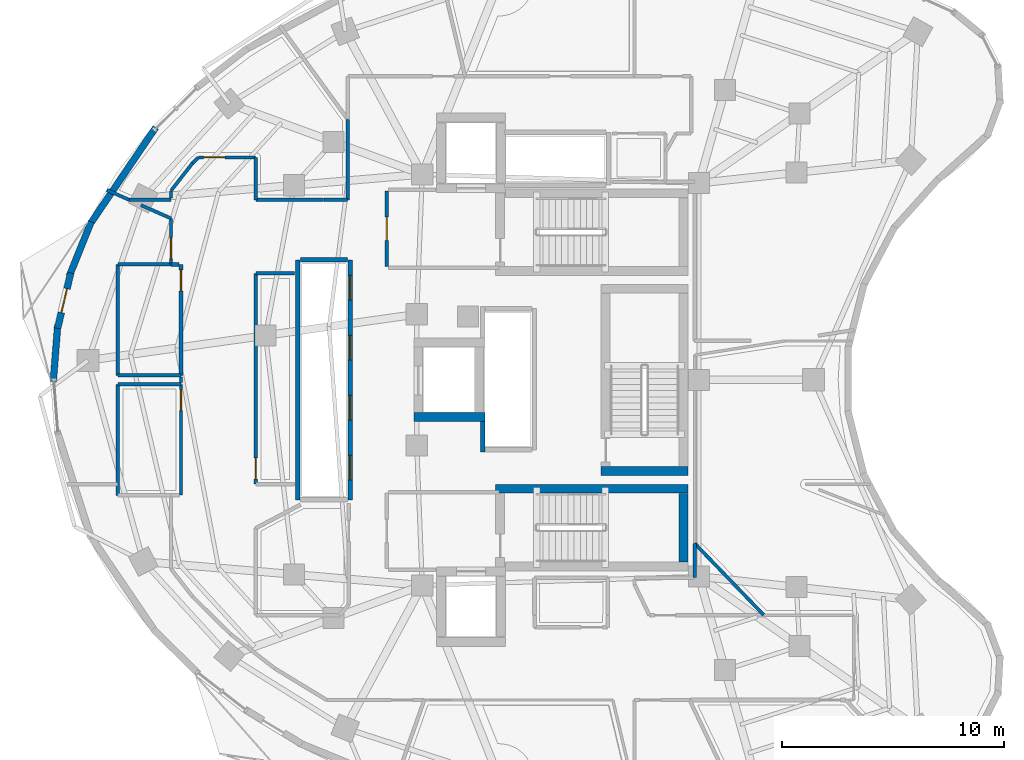
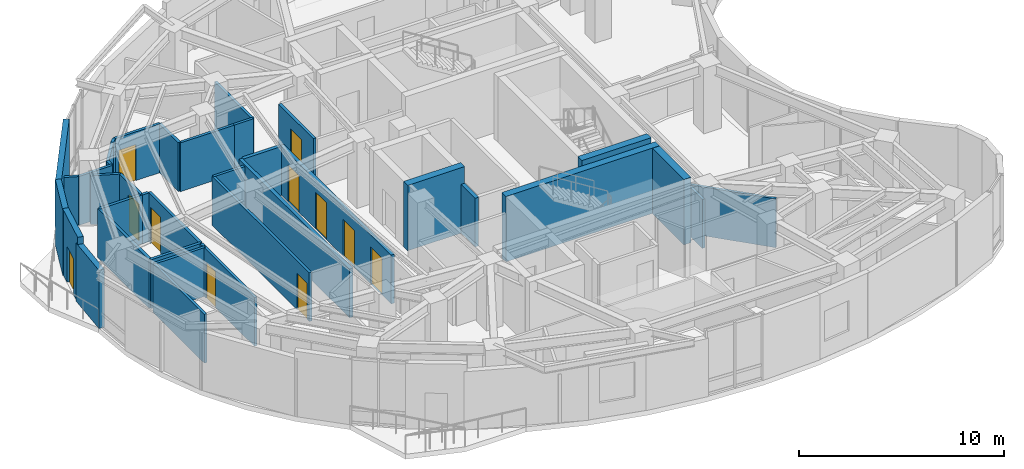
# One storey, part 8 of 13: 38 walls, 11 doors, 11 openings.
"""IFC4 building model written with IfcOpenShell, lengths in metres."""

import ifcopenshell
import ifcopenshell.guid

model = None  # the IFC model being written
_history = None  # IfcOwnerHistory: only IFC2X3 demands one
_inside = {}  # id of a spatial element -> (the spatial element, [elements in it])
_under = {}  # id of a project, library or spatial element -> (it, [spatial elements below it])
_declared = {}  # id of a project -> (the project, [libraries it declares])
_typed = {}  # id of a type object -> (the type object, [elements of that type])
_made_of = {}  # id of a material, layer set ... -> (it, [elements and type objects made of it])


def new_model(schema):
    """Start an empty IFC model of exactly this schema.

    Asked for "IFC4X3", IfcOpenShell would pick the latest addendum, in which some entities
    have other attributes; the version numbers below select the first issue.
    IFC2X3 requires an IfcOwnerHistory on every rooted entity: one is made here for all.
    """
    global model, _history
    if schema == "IFC4X3":
        model = ifcopenshell.file(schema_version=(4, 3, 0, 0))
    else:
        model = ifcopenshell.file(schema=schema)
    _inside.clear()
    _under.clear()
    _declared.clear()
    _typed.clear()
    _made_of.clear()
    _history = None
    if model.schema == "IFC2X3":
        org = make("IfcOrganization", Name="unknown")
        user = make(
            "IfcPersonAndOrganization",
            ThePerson=make("IfcPerson", FamilyName="unknown"),
            TheOrganization=org,
        )
        app = make(
            "IfcApplication",
            ApplicationDeveloper=org,
            Version="unknown",
            ApplicationFullName="unknown",
            ApplicationIdentifier="unknown",
        )
        _history = make(
            "IfcOwnerHistory",
            OwningUser=user,
            OwningApplication=app,
            ChangeAction="ADDED",
            CreationDate=0,
        )
    return model


def make(cls, **values):
    """One entity of the class cls with the attributes given. An attribute that is None is left unset."""
    return model.create_entity(
        cls, **{name: value for name, value in values.items() if value is not None}
    )


def rooted(cls, **values):
    """An entity with a GlobalId (a new one), such as an element, a storey or a relation."""
    return make(cls, GlobalId=ifcopenshell.guid.new(), OwnerHistory=_history, **values)


def si_unit(unit_type, name, prefix=None):
    """IfcSIUnit, for example si_unit("LENGTHUNIT", "METRE", prefix="MILLI")."""
    return make("IfcSIUnit", UnitType=unit_type, Prefix=prefix, Name=name)


def assignment(units):
    """IfcUnitAssignment: the units of a project."""
    return None if units is None else make("IfcUnitAssignment", Units=units)


def point(xyz):
    """IfcCartesianPoint."""
    return None if xyz is None else make("IfcCartesianPoint", Coordinates=xyz)


def direction(xyz):
    """IfcDirection."""
    return None if xyz is None else make("IfcDirection", DirectionRatios=xyz)


def frame(location, z_axis=None, x_axis=None):
    """IfcAxis2Placement3D, a coordinate frame: its origin and axes. An axis left out is left unset."""
    return make(
        "IfcAxis2Placement3D",
        Location=point(location),
        Axis=direction(z_axis),
        RefDirection=direction(x_axis),
    )


def frame_2d(location, x_axis=None):
    """IfcAxis2Placement2D, a coordinate frame in the plane: its origin and x axis."""
    return make(
        "IfcAxis2Placement2D", Location=point(location), RefDirection=direction(x_axis)
    )


def origin():
    """The frame at (0, 0, 0) with its axes left unset."""
    return frame((0.0, 0.0, 0.0))


def place(relative_to, where):
    """IfcLocalPlacement: puts the frame where relative to a parent placement (None: the world)."""
    return make(
        "IfcLocalPlacement", PlacementRelTo=relative_to, RelativePlacement=where
    )


def context(
    kind, dimensions, precision=None, world=None, true_north=None, identifier=None
):
    """IfcGeometricRepresentationContext, for example the 3D "Model" context."""
    return make(
        "IfcGeometricRepresentationContext",
        ContextIdentifier=identifier,
        ContextType=kind,
        CoordinateSpaceDimension=dimensions,
        Precision=precision,
        WorldCoordinateSystem=world,
        TrueNorth=true_north,
    )


def subcontext(parent, identifier, kind, view, scale=None):
    """IfcGeometricRepresentationSubContext, for example "Body" below "Model"."""
    return make(
        "IfcGeometricRepresentationSubContext",
        ContextIdentifier=identifier,
        ContextType=kind,
        ParentContext=parent,
        TargetScale=scale,
        TargetView=view,
    )


def project(units=None, contexts=None):
    """IfcProject with its units and contexts."""
    return rooted(
        "IfcProject",
        Name="project",
        RepresentationContexts=contexts,
        UnitsInContext=assignment(units),
    )


def spatial(cls, under=None, at=None, **own):
    """A site, building, storey or space (cls), placed at a placement, below another one or the project."""
    s = rooted(cls, ObjectPlacement=at, **own)
    if under is not None:
        _under.setdefault(under.id(), (under, []))[1].append(s)
    return s


def profile(cls, at=None, kind="AREA", **sizes):
    """A parametric profile (cls). Its sizes go by their IFC names, for example OverallWidth=200.0."""
    return make(cls, ProfileType=kind, Position=at, **sizes)


def rectangle(**sizes):
    """IfcRectangleProfileDef."""
    return profile("IfcRectangleProfileDef", **sizes)


def extrude(swept, where, along, depth):
    """IfcExtrudedAreaSolid: the profile swept, set in the frame where, extruded along a direction by depth."""
    return make(
        "IfcExtrudedAreaSolid",
        SweptArea=swept,
        Position=where,
        ExtrudedDirection=direction(along),
        Depth=depth,
    )


def shape(context_of_items, identifier, shape_type, items):
    """IfcShapeRepresentation: the items that make up one representation, for example the "Body"."""
    return make(
        "IfcShapeRepresentation",
        ContextOfItems=context_of_items,
        RepresentationIdentifier=identifier,
        RepresentationType=shape_type,
        Items=items,
    )


def material(Name=None, Category=None):
    """IfcMaterial."""
    return make("IfcMaterial", Name=Name, Category=Category)


def layer(
    of_material, thickness, ventilated=None, Name=None, Category=None, Priority=None
):
    """IfcMaterialLayer: one layer of a wall or slab, of a material (None: an air gap)."""
    return make(
        "IfcMaterialLayer",
        Material=of_material,
        LayerThickness=thickness,
        IsVentilated=ventilated,
        Name=Name,
        Category=Category,
        Priority=Priority,
    )


def layer_set(layers, Name=None):
    """IfcMaterialLayerSet."""
    return make("IfcMaterialLayerSet", MaterialLayers=layers, LayerSetName=Name)


def made_of(thing, what):
    """Note that an element or type object is made of a material, layer set ...; save() writes the relation."""
    if what is not None:
        _made_of.setdefault(what.id(), (what, []))[1].append(thing)
    return thing


def type_object(cls, material=None, **own):
    """A type object (cls), such as IfcWallType, which elements share."""
    return made_of(rooted(cls, **own), material)


def element(
    cls,
    number,
    at=None,
    inside=None,
    cuts=None,
    type_object=None,
    material=None,
    context=None,
    identifier="Body",
    shape_type=None,
    held_by="IfcProductDefinitionShape",
    body=None,
    shapes=None,
    **own,
):
    """One element of the class cls, such as IfcWall. Its Tag is "e" and its number.

    at: its placement. inside: the storey or other place that contains it. cuts: it is an
    opening in that element (IfcRelVoidsElement). A single representation is given by context,
    identifier, shape_type and body (its items); several are given by shapes. held_by: the class
    of the entity that holds the representations. save() writes the other relations.
    """
    e = rooted(cls, Tag="e%d" % number, ObjectPlacement=at, **own)
    if body is not None:
        shapes = [shape(context, identifier, shape_type, body)]
    if shapes is not None:
        e.Representation = make(held_by, Representations=shapes)
    if inside is not None:
        _inside.setdefault(inside.id(), (inside, []))[1].append(e)
    if cuts is not None:
        rooted(
            "IfcRelVoidsElement", RelatingBuildingElement=cuts, RelatedOpeningElement=e
        )
    if type_object is not None:
        _typed.setdefault(type_object.id(), (type_object, []))[1].append(e)
    return made_of(e, material)


def fill(opening, filler):
    """IfcRelFillsElement: the door or window that sits in an opening."""
    return rooted(
        "IfcRelFillsElement",
        RelatingOpeningElement=opening,
        RelatedBuildingElement=filler,
    )


def aggregate(whole, parts):
    """IfcRelAggregates: a whole, such as a stair, and the parts it consists of."""
    return rooted("IfcRelAggregates", RelatingObject=whole, RelatedObjects=parts)


def save(model, path):
    """Write the relations noted so far, then the file.

    IfcRelAggregates (storeys below a building ...), IfcRelContainedInSpatialStructure (elements
    in a storey), IfcRelDefinesByType, IfcRelAssociatesMaterial and IfcRelDeclares: one each for
    every whole, place, type object, material and project.
    """
    for whole, parts in _under.values():
        aggregate(whole, parts)
    for where, things in _inside.values():
        rooted(
            "IfcRelContainedInSpatialStructure",
            RelatedElements=things,
            RelatingStructure=where,
        )
    for kind, things in _typed.values():
        rooted("IfcRelDefinesByType", RelatedObjects=things, RelatingType=kind)
    for what, things in _made_of.values():
        rooted("IfcRelAssociatesMaterial", RelatedObjects=things, RelatingMaterial=what)
    for by, libraries in _declared.values():
        rooted("IfcRelDeclares", RelatingContext=by, RelatedDefinitions=libraries)
    model.write(path)


model = new_model("IFC4")

# Units and contexts
model_context = context("Model", 3, precision=1e-05, world=origin(), true_north=direction((0.0, 1.0)))
body_context = subcontext(model_context, "Body", "Model", "MODEL_VIEW")
ifc_project = project(units=[si_unit("LENGTHUNIT", "METRE"), si_unit("AREAUNIT", "SQUARE_METRE"), si_unit("VOLUMEUNIT", "CUBIC_METRE"), si_unit("PLANEANGLEUNIT", "RADIAN"), si_unit("MASSUNIT", "GRAM", prefix="KILO")], contexts=[model_context])

# Site, building, storey
site_placement = place(None, origin())
site = spatial("IfcSite", under=ifc_project, at=site_placement, CompositionType="ELEMENT")
building_placement = place(site_placement, origin())
building = spatial("IfcBuilding", under=site, at=building_placement, Name="Korentha Bioscience Tower", CompositionType="ELEMENT")
storey_placement = place(building_placement, frame((0.0, 0.0, 204.60009765625)))
storey = spatial("IfcBuildingStorey", under=building, at=storey_placement, Name="L47", CompositionType="ELEMENT", Elevation=204.60009765625)

# Wall, opening, door
ifc_material_1 = material(Name="Double-Stud Acoustic Gypsum", Category="gypsum")
ifc_layer_1 = layer(ifc_material_1, 0.14990234375, Name="Double-Stud Acoustic Gypsum")
ifc_layer_set_1 = layer_set([ifc_layer_1], Name="Double-Stud Acoustic Gypsum (IW-L150)")
wall_type_1 = type_object("IfcWallType", Name="Acoustic Laboratory Partition Wall 150", PredefinedType="PARTITIONING", material=ifc_layer_set_1)
wall_1_placement = place(storey_placement, frame((14.239990234375, 26.800048828125, 0.0), z_axis=(0.0, 0.0, 1.0), x_axis=(0.0, -1.0, 0.0)))
wall_1 = element("IfcWall", 1, at=wall_1_placement, inside=storey, type_object=wall_type_1, Name="L47 Reclaimed Bank-1 Cold Freezer Alcove Entrance Wall", PredefinedType="PARTITIONING", context=body_context, shape_type="SweptSolid", body=[
    extrude(rectangle(XDim=4.989990234375, YDim=0.14990234375, at=frame_2d((2.4951171875, 0.0))), origin(), (0.0, 0.0, 1.0), 2.909912109375),
])
opening_1_placement = place(wall_1_placement, frame((0.239990234375, 0.0, 0.0)))
opening_1 = element("IfcOpeningElement", 2, at=opening_1_placement, cuts=wall_1, Name="Opening ID-10R", PredefinedType="OPENING", context=body_context, shape_type="SweptSolid", body=[
    extrude(rectangle(XDim=0.949951171875, YDim=2.14990234375, at=frame_2d((0.47509765625, 1.074951171875))), frame((0.0, 0.08984375, 0.0), z_axis=(0.0, -1.0, 0.0), x_axis=(1.0, 0.0, 0.0)), (0.0, 0.0, 1.0), 0.1796875),
])
ifc_material_2 = material(Name="Phenolic Laminate Timber Core", Category="wood")
door_type_1 = type_object("IfcDoorType", Name="Laboratory Single Leaf Door 950x2150 Right", OperationType="SINGLE_SWING_RIGHT", PredefinedType="DOOR", material=ifc_material_2)
door_1_placement = place(opening_1_placement, origin())
door_1 = element("IfcDoor", 3, at=door_1_placement, inside=storey, type_object=door_type_1, Name="L47 Reclaimed Bank-1 Cold Freezer Alcove Door", OperationType="SINGLE_SWING_RIGHT", OverallHeight=2.14990234375, OverallWidth=0.949951171875, PredefinedType="DOOR", context=body_context, shape_type="SweptSolid", body=[
    extrude(rectangle(XDim=0.949951171875, YDim=2.14990234375, at=frame_2d((0.47509765625, 1.074951171875))), frame((0.0, 0.02490234375, 0.0), z_axis=(0.0, -1.0, 0.0), x_axis=(1.0, 0.0, 0.0)), (0.0, 0.0, 1.0), 0.050048828125),
])
fill(opening_1, door_1)

wall_2_placement = place(storey_placement, frame((17.60009765625, 37.010009765625, 0.0), z_axis=(0.0, 0.0, 1.0), x_axis=(-1.0, 0.0, 0.0)))
wall_2 = element("IfcWall", 4, at=wall_2_placement, inside=storey, type_object=wall_type_1, Name="L47 Automated High-Throughput Assay Lab 11 Entrance Wall", PredefinedType="PARTITIONING", context=body_context, shape_type="SweptSolid", body=[
    extrude(rectangle(XDim=2.576416015625, YDim=0.14990234375, at=frame_2d((1.2880859375, 0.0))), origin(), (0.0, 0.0, 1.0), 2.909912109375),
])
opening_2_placement = place(wall_2_placement, frame((1.38623046875, 0.0, 0.0)))
opening_2 = element("IfcOpeningElement", 5, at=opening_2_placement, cuts=wall_2, Name="Opening ID-10R", PredefinedType="OPENING", context=body_context, shape_type="SweptSolid", body=[
    extrude(rectangle(XDim=0.949951171875, YDim=2.14990234375, at=frame_2d((0.47509765625, 1.074951171875))), frame((0.0, 0.08984375, 0.0), z_axis=(0.0, -1.0, 0.0), x_axis=(1.0, 0.0, 0.0)), (0.0, 0.0, 1.0), 0.1796875),
])
door_2_placement = place(opening_2_placement, origin())
door_2 = element("IfcDoor", 6, at=door_2_placement, inside=storey, type_object=door_type_1, Name="L47 Automated High-Throughput Assay Lab 11 Door", OperationType="SINGLE_SWING_RIGHT", OverallHeight=2.14990234375, OverallWidth=0.949951171875, PredefinedType="DOOR", context=body_context, shape_type="SweptSolid", body=[
    extrude(rectangle(XDim=0.949951171875, YDim=2.14990234375, at=frame_2d((0.47509765625, 1.074951171875))), frame((0.0, 0.02490234375, 0.0), z_axis=(0.0, -1.0, 0.0), x_axis=(1.0, 0.0, 0.0)), (0.0, 0.0, 1.0), 0.050048828125),
])
fill(opening_2, door_2)

wall_3_placement = place(storey_placement, frame((13.7900390625, 34.265625, 0.0), z_axis=(0.0, 0.0, 1.0), x_axis=(0.0, -1.0, 0.0)))
wall_3 = element("IfcWall", 7, at=wall_3_placement, inside=storey, type_object=wall_type_1, Name="L47 Mass-Spectrometry Analytical Suite 12 Entrance Wall", PredefinedType="PARTITIONING", context=body_context, shape_type="SweptSolid", body=[
    extrude(rectangle(XDim=2.0556640625, YDim=0.14990234375, at=frame_2d((1.02783203125, 0.0))), origin(), (0.0, 0.0, 1.0), 2.909912109375),
])
opening_3_placement = place(wall_3_placement, frame((0.865478515625, 0.0, 0.0)))
opening_3 = element("IfcOpeningElement", 8, at=opening_3_placement, cuts=wall_3, Name="Opening ID-10L", PredefinedType="OPENING", context=body_context, shape_type="SweptSolid", body=[
    extrude(rectangle(XDim=0.949951171875, YDim=2.14990234375, at=frame_2d((0.47509765625, 1.074951171875))), frame((0.0, 0.08984375, 0.0), z_axis=(0.0, -1.0, 0.0), x_axis=(1.0, 0.0, 0.0)), (0.0, 0.0, 1.0), 0.1796875),
])
door_type_2 = type_object("IfcDoorType", Name="Laboratory Single Leaf Door 950x2150 Left", OperationType="SINGLE_SWING_LEFT", PredefinedType="DOOR", material=ifc_material_2)
door_3_placement = place(opening_3_placement, origin())
door_3 = element("IfcDoor", 9, at=door_3_placement, inside=storey, type_object=door_type_2, Name="L47 Mass-Spectrometry Analytical Suite 12 Door", OperationType="SINGLE_SWING_LEFT", OverallHeight=2.14990234375, OverallWidth=0.949951171875, PredefinedType="DOOR", context=body_context, shape_type="SweptSolid", body=[
    extrude(rectangle(XDim=0.949951171875, YDim=2.14990234375, at=frame_2d((0.47509765625, 1.074951171875))), frame((0.0, 0.02490234375, 0.0), z_axis=(0.0, -1.0, 0.0), x_axis=(1.0, 0.0, 0.0)), (0.0, 0.0, 1.0), 0.050048828125),
])
fill(opening_3, door_3)

wall_4_placement = place(storey_placement, frame((17.610107421875, 22.302001953125, 0.0), z_axis=(0.0, 0.0, 1.0), x_axis=(0.0, 1.0, 0.0)))
wall_4 = element("IfcWall", 10, at=wall_4_placement, inside=storey, type_object=wall_type_1, Name="L47 HPLC Chromatography Room 13 Entrance Wall", PredefinedType="PARTITIONING", context=body_context, shape_type="SweptSolid", body=[
    extrude(rectangle(XDim=9.488037109375, YDim=0.14990234375, at=frame_2d((4.744140625, 0.0))), origin(), (0.0, 0.0, 1.0), 2.909912109375),
])
opening_4_placement = place(wall_4_placement, frame((0.239990234375, 0.0, 0.0)))
opening_4 = element("IfcOpeningElement", 11, at=opening_4_placement, cuts=wall_4, Name="Opening ID-10R", PredefinedType="OPENING", context=body_context, shape_type="SweptSolid", body=[
    extrude(rectangle(XDim=0.949951171875, YDim=2.14990234375, at=frame_2d((0.47509765625, 1.074951171875))), frame((0.0, 0.08984375, 0.0), z_axis=(0.0, -1.0, 0.0), x_axis=(1.0, 0.0, 0.0)), (0.0, 0.0, 1.0), 0.1796875),
])
door_4_placement = place(opening_4_placement, origin())
door_4 = element("IfcDoor", 12, at=door_4_placement, inside=storey, type_object=door_type_1, Name="L47 HPLC Chromatography Room 13 Door", OperationType="SINGLE_SWING_RIGHT", OverallHeight=2.14990234375, OverallWidth=0.949951171875, PredefinedType="DOOR", context=body_context, shape_type="SweptSolid", body=[
    extrude(rectangle(XDim=0.949951171875, YDim=2.14990234375, at=frame_2d((0.47509765625, 1.074951171875))), frame((0.0, 0.02490234375, 0.0), z_axis=(0.0, -1.0, 0.0), x_axis=(1.0, 0.0, 0.0)), (0.0, 0.0, 1.0), 0.050048828125),
])
fill(opening_4, door_4)

# Walls
wall_5_placement = place(storey_placement, frame((11.39990234375, 21.800048828125, 0.0), z_axis=(0.0, 0.0, 1.0), x_axis=(0.0, 1.0, 0.0)))
element("IfcWall", 13, at=wall_5_placement, inside=storey, type_object=wall_type_1, Name="L47 Interior Partition 027", PredefinedType="PARTITIONING", context=body_context, shape_type="SweptSolid", body=[
    extrude(rectangle(XDim=5.0, YDim=0.14990234375, at=frame_2d((2.5, 0.0))), origin(), (0.0, 0.0, 1.0), 2.909912109375),
])
wall_6_placement = place(storey_placement, frame((11.39990234375, 26.800048828125, 0.0), z_axis=(0.0, 0.0, 1.0), x_axis=(1.0, 0.0, 0.0)))
element("IfcWall", 14, at=wall_6_placement, inside=storey, type_object=wall_type_1, Name="L47 Interior Partition 028", PredefinedType="PARTITIONING", context=body_context, shape_type="SweptSolid", body=[
    extrude(rectangle(XDim=2.840087890625, YDim=0.14990234375, at=frame_2d((1.419921875, 0.0))), origin(), (0.0, 0.0, 1.0), 2.909912109375),
])
wall_7_placement = place(storey_placement, frame((37.360107421875, 18.10009765625, 0.0), z_axis=(0.0, 0.0, 1.0), x_axis=(0.0, 1.0, 0.0)))
element("IfcWall", 15, at=wall_7_placement, inside=storey, type_object=wall_type_1, Name="L47 Interior Partition 052", PredefinedType="PARTITIONING", context=body_context, shape_type="SweptSolid", body=[
    extrude(rectangle(XDim=1.536865234375, YDim=0.14990234375, at=frame_2d((0.7685546875, 0.0))), origin(), (0.0, 0.0, 1.0), 2.909912109375),
])
wall_8_placement = place(storey_placement, frame((37.360107421875, 19.636962890625, 0.0), z_axis=(0.0, 0.0, 1.0), x_axis=(0.694165803971, -0.719815140573, 0.0)))
element("IfcWall", 16, at=wall_8_placement, inside=storey, type_object=wall_type_1, Name="L47 Interior Partition 053", PredefinedType="PARTITIONING", context=body_context, shape_type="SweptSolid", body=[
    extrude(rectangle(XDim=4.483154296875, YDim=0.14990234375, at=frame_2d((2.24169921875, 0.0))), origin(), (0.0, 0.0, 1.0), 2.909912109375),
])
wall_9_placement = place(storey_placement, frame((21.739990234375, 38.721923828125, 0.0), z_axis=(0.0, 0.0, 1.0), x_axis=(0.0, -1.0, 0.0)))
element("IfcWall", 17, at=wall_9_placement, inside=storey, type_object=wall_type_1, Name="L47 Interior Partition 073", PredefinedType="PARTITIONING", context=body_context, shape_type="SweptSolid", body=[
    extrude(rectangle(XDim=3.619873046875, YDim=0.14990234375, at=frame_2d((1.81005859375, 0.0))), origin(), (0.0, 0.0, 1.0), 2.909912109375),
])
wall_10_placement = place(storey_placement, frame((21.739990234375, 35.10205078125, 0.0), z_axis=(0.0, 0.0, 1.0), x_axis=(-1.0, 0.0, 0.0)))
element("IfcWall", 18, at=wall_10_placement, inside=storey, type_object=wall_type_1, Name="L47 Interior Partition 074", PredefinedType="PARTITIONING", context=body_context, shape_type="SweptSolid", body=[
    extrude(rectangle(XDim=1.072021484375, YDim=0.14990234375, at=frame_2d((0.5361328125, 0.0))), origin(), (0.0, 0.0, 1.0), 2.909912109375),
])
wall_11_placement = place(storey_placement, frame((20.661376953125, 35.10205078125, 0.0), z_axis=(0.0, 0.0, 1.0), x_axis=(-1.0, 0.0, 0.0)))
element("IfcWall", 19, at=wall_11_placement, inside=storey, type_object=wall_type_1, Name="L47 Interior Partition 075", PredefinedType="PARTITIONING", context=body_context, shape_type="SweptSolid", body=[
    extrude(rectangle(XDim=3.05126953125, YDim=0.14990234375, at=frame_2d((1.525634765625, 0.0))), origin(), (0.0, 0.0, 1.0), 2.909912109375),
])
wall_12_placement = place(storey_placement, frame((17.610107421875, 35.10205078125, 0.0), z_axis=(0.0, 0.0, 1.0), x_axis=(0.0, 1.0, 0.0)))
element("IfcWall", 20, at=wall_12_placement, inside=storey, type_object=wall_type_1, Name="L47 Interior Partition 076", PredefinedType="PARTITIONING", context=body_context, shape_type="SweptSolid", body=[
    extrude(rectangle(XDim=1.89794921875, YDim=0.14990234375, at=frame_2d((0.948974609375, 0.0))), origin(), (0.0, 0.0, 1.0), 2.909912109375),
])
wall_13_placement = place(storey_placement, frame((15.0166015625, 37.007080078125, 0.0), z_axis=(0.0, 0.0, 1.0), x_axis=(-0.711174408111, -0.70301561949, 0.0)))
element("IfcWall", 21, at=wall_13_placement, inside=storey, type_object=wall_type_1, Name="L47 Interior Partition 077", PredefinedType="PARTITIONING", context=body_context, shape_type="SweptSolid", body=[
    extrude(rectangle(XDim=0.359130859375, YDim=0.14990234375, at=frame_2d((0.1796875, 0.0))), origin(), (0.0, 0.0, 1.0), 2.909912109375),
])
wall_14_placement = place(storey_placement, frame((14.760498046875, 36.753662109375, 0.0), z_axis=(0.0, 0.0, 1.0), x_axis=(-0.615625972761, -0.788038489962, 0.0)))
element("IfcWall", 22, at=wall_14_placement, inside=storey, type_object=wall_type_1, Name="L47 Interior Partition 078", PredefinedType="PARTITIONING", context=body_context, shape_type="SweptSolid", body=[
    extrude(rectangle(XDim=1.5732421875, YDim=0.14990234375, at=frame_2d((0.78662109375, 0.0))), origin(), (0.0, 0.0, 1.0), 2.909912109375),
])
wall_15_placement = place(storey_placement, frame((13.7900390625, 35.5078125, 0.0), z_axis=(0.0, 0.0, 1.0), x_axis=(0.0, -1.0, 0.0)))
element("IfcWall", 23, at=wall_15_placement, inside=storey, type_object=wall_type_1, Name="L47 Interior Partition 079", PredefinedType="PARTITIONING", context=body_context, shape_type="SweptSolid", body=[
    extrude(rectangle(XDim=0.327880859375, YDim=0.14990234375, at=frame_2d((0.1640625, 0.0))), origin(), (0.0, 0.0, 1.0), 2.909912109375),
])
wall_16_placement = place(storey_placement, frame((13.7900390625, 35.10205078125, 0.0), z_axis=(0.0, 0.0, 1.0), x_axis=(-1.0, 0.0, 0.0)))
element("IfcWall", 24, at=wall_16_placement, inside=storey, type_object=wall_type_1, Name="L47 Interior Partition 080", PredefinedType="PARTITIONING", context=body_context, shape_type="SweptSolid", body=[
    extrude(rectangle(XDim=1.885498046875, YDim=0.14990234375, at=frame_2d((0.94287109375, 0.0))), origin(), (0.0, 0.0, 1.0), 2.909912109375),
])
wall_17_placement = place(storey_placement, frame((11.904296875, 35.10205078125, 0.0), z_axis=(0.0, 0.0, 1.0), x_axis=(-0.914934829938, 0.403601606744, 0.0)))
element("IfcWall", 25, at=wall_17_placement, inside=storey, type_object=wall_type_1, Name="L47 Interior Partition 081", PredefinedType="PARTITIONING", context=body_context, shape_type="SweptSolid", body=[
    extrude(rectangle(XDim=1.090087890625, YDim=0.14990234375, at=frame_2d((0.544921875, 0.0))), origin(), (0.0, 0.0, 1.0), 2.909912109375),
])
wall_18_placement = place(storey_placement, frame((12.4384765625, 34.862060546875, 0.0), z_axis=(0.0, 0.0, 1.0), x_axis=(0.91487830716, -0.403729715389, 0.0)))
element("IfcWall", 26, at=wall_18_placement, inside=storey, type_object=wall_type_1, Name="L47 Interior Partition 083", PredefinedType="PARTITIONING", context=body_context, shape_type="SweptSolid", body=[
    extrude(rectangle(XDim=1.477294921875, YDim=0.14990234375, at=frame_2d((0.73876953125, 0.0))), origin(), (0.0, 0.0, 1.0), 2.909912109375),
])
wall_19_placement = place(storey_placement, frame((14.239990234375, 27.116943359375, 0.0), z_axis=(0.0, 0.0, 1.0), x_axis=(0.0, -1.0, 0.0)))
element("IfcWall", 27, at=wall_19_placement, inside=storey, type_object=wall_type_1, Name="L47 Interior Partition 084", PredefinedType="PARTITIONING", context=body_context, shape_type="SweptSolid", body=[
    extrude(rectangle(XDim=0.239013671875, YDim=0.14990234375, at=frame_2d((0.11962890625, 0.0))), origin(), (0.0, 0.0, 1.0), 2.909912109375),
])
wall_20_placement = place(storey_placement, frame((17.610107421875, 31.7900390625, 0.0), z_axis=(0.0, 0.0, 1.0), x_axis=(1.0, 0.0, 0.0)))
element("IfcWall", 28, at=wall_20_placement, inside=storey, type_object=wall_type_1, Name="L47 Interior Partition 086", PredefinedType="PARTITIONING", context=body_context, shape_type="SweptSolid", body=[
    extrude(rectangle(XDim=1.72998046875, YDim=0.14990234375, at=frame_2d((0.864990234375, 0.0))), origin(), (0.0, 0.0, 1.0), 2.909912109375),
])

# Wall, opening, door
ifc_material_3 = material(Name="Gypsum-Clad Steel Stud", Category="steel")
ifc_layer_2 = layer(ifc_material_3, 0.159912109375, Name="Gypsum-Clad Steel Stud")
ifc_layer_set_2 = layer_set([ifc_layer_2], Name="Gypsum-Clad Steel Stud (IW-C160)")
wall_type_2 = type_object("IfcWallType", Name="Fire-Rated Corridor Partition Wall 160", PredefinedType="PARTITIONING", material=ifc_layer_set_2)
wall_21_placement = place(storey_placement, frame((23.5, 32.10009765625, 0.0), z_axis=(0.0, 0.0, 1.0), x_axis=(0.0, 1.0, 0.0)))
wall_21 = element("IfcWall", 29, at=wall_21_placement, inside=storey, type_object=wall_type_2, Name="L47 FFLN-CW Rated Enclosure Wall", PredefinedType="PARTITIONING", context=body_context, shape_type="SweptSolid", body=[
    extrude(rectangle(XDim=3.39990234375, YDim=0.159912109375, at=frame_2d((1.699951171875, 0.0))), origin(), (0.0, 0.0, 1.0), 2.909912109375),
])
opening_5_placement = place(wall_21_placement, frame((1.175048828125, 0.0, 0.0)))
opening_5 = element("IfcOpeningElement", 30, at=opening_5_placement, cuts=wall_21, Name="Opening FD-90R", PredefinedType="OPENING", context=body_context, shape_type="SweptSolid", body=[
    extrude(rectangle(XDim=1.050048828125, YDim=2.14990234375, at=frame_2d((0.52490234375, 1.074951171875))), frame((0.0, 0.0947265625, 0.0), z_axis=(0.0, -1.0, 0.0), x_axis=(1.0, 0.0, 0.0)), (0.0, 0.0, 1.0), 0.189697265625),
])
ifc_material_4 = material(Name="Powder-Coated Fire-Rated Steel", Category="steel")
door_type_3 = type_object("IfcDoorType", Name="Stairwell Fire Exit Door 1050x2150 Right", OperationType="SINGLE_SWING_RIGHT", PredefinedType="DOOR", material=ifc_material_4)
door_5_placement = place(opening_5_placement, origin())
door_5 = element("IfcDoor", 31, at=door_5_placement, inside=storey, type_object=door_type_3, Name="L47 North Firefighting Lobby Door", OperationType="SINGLE_SWING_RIGHT", OverallHeight=2.14990234375, OverallWidth=1.050048828125, PredefinedType="DOOR", context=body_context, shape_type="SweptSolid", body=[
    extrude(rectangle(XDim=1.050048828125, YDim=2.14990234375, at=frame_2d((0.52490234375, 1.074951171875))), frame((0.0, 0.02490234375, 0.0), z_axis=(0.0, -1.0, 0.0), x_axis=(1.0, 0.0, 0.0)), (0.0, 0.0, 1.0), 0.050048828125),
])
fill(opening_5, door_5)

wall_22_placement = place(storey_placement, frame((14.239990234375, 32.18994140625, 0.0), z_axis=(0.0, 0.0, 1.0), x_axis=(0.0, -1.0, 0.0)))
wall_22 = element("IfcWall", 32, at=wall_22_placement, inside=storey, type_object=wall_type_2, Name="L47 Reclaimed Bank-1 Glassware Store Entrance Wall", PredefinedType="PARTITIONING", context=body_context, shape_type="SweptSolid", body=[
    extrude(rectangle(XDim=4.989990234375, YDim=0.159912109375, at=frame_2d((2.4951171875, 0.0))), origin(), (0.0, 0.0, 1.0), 2.909912109375),
])
opening_6_placement = place(wall_22_placement, frame((0.239990234375, 0.0, 0.0)))
opening_6 = element("IfcOpeningElement", 33, at=opening_6_placement, cuts=wall_22, Name="Opening ID-10L", PredefinedType="OPENING", context=body_context, shape_type="SweptSolid", body=[
    extrude(rectangle(XDim=0.949951171875, YDim=2.14990234375, at=frame_2d((0.47509765625, 1.074951171875))), frame((0.0, 0.0947265625, 0.0), z_axis=(0.0, -1.0, 0.0), x_axis=(1.0, 0.0, 0.0)), (0.0, 0.0, 1.0), 0.189697265625),
])
door_6_placement = place(opening_6_placement, origin())
door_6 = element("IfcDoor", 34, at=door_6_placement, inside=storey, type_object=door_type_2, Name="L47 Reclaimed Bank-1 Glassware Store Door", OperationType="SINGLE_SWING_LEFT", OverallHeight=2.14990234375, OverallWidth=0.949951171875, PredefinedType="DOOR", context=body_context, shape_type="SweptSolid", body=[
    extrude(rectangle(XDim=0.949951171875, YDim=2.14990234375, at=frame_2d((0.47509765625, 1.074951171875))), frame((0.0, 0.02490234375, 0.0), z_axis=(0.0, -1.0, 0.0), x_axis=(1.0, 0.0, 0.0)), (0.0, 0.0, 1.0), 0.050048828125),
])
fill(opening_6, door_6)

# Walls
wall_23_placement = place(storey_placement, frame((13.800048828125, 32.18994140625, 0.0), z_axis=(0.0, 0.0, 1.0), x_axis=(1.0, 0.0, 0.0)))
element("IfcWall", 35, at=wall_23_placement, inside=storey, type_object=wall_type_2, Name="L47 Interior Partition 029", PredefinedType="PARTITIONING", context=body_context, shape_type="SweptSolid", body=[
    extrude(rectangle(XDim=0.35693359375, YDim=0.159912109375, at=frame_2d((0.178466796875, 0.0))), origin(), (0.0, 0.0, 1.0), 2.909912109375),
])
wall_24_placement = place(storey_placement, frame((14.239990234375, 27.199951171875, 0.0), z_axis=(0.0, 0.0, 1.0), x_axis=(-1.0, 0.0, 0.0)))
element("IfcWall", 36, at=wall_24_placement, inside=storey, type_object=wall_type_2, Name="L47 Interior Partition 030", PredefinedType="PARTITIONING", context=body_context, shape_type="SweptSolid", body=[
    extrude(rectangle(XDim=2.840087890625, YDim=0.159912109375, at=frame_2d((1.419921875, 0.0))), origin(), (0.0, 0.0, 1.0), 2.909912109375),
])
wall_25_placement = place(storey_placement, frame((11.39990234375, 27.199951171875, 0.0), z_axis=(0.0, 0.0, 1.0), x_axis=(0.0, 1.0, 0.0)))
element("IfcWall", 37, at=wall_25_placement, inside=storey, type_object=wall_type_2, Name="L47 Interior Partition 031", PredefinedType="PARTITIONING", context=body_context, shape_type="SweptSolid", body=[
    extrude(rectangle(XDim=5.0, YDim=0.159912109375, at=frame_2d((2.5, 0.0))), origin(), (0.0, 0.0, 1.0), 2.909912109375),
])
wall_26_placement = place(storey_placement, frame((11.39990234375, 32.199951171875, 0.0), z_axis=(0.0, 0.0, 1.0), x_axis=(1.0, 0.0, 0.0)))
element("IfcWall", 38, at=wall_26_placement, inside=storey, type_object=wall_type_2, Name="L47 Interior Partition 032", PredefinedType="PARTITIONING", context=body_context, shape_type="SweptSolid", body=[
    extrude(rectangle(XDim=2.39013671875, YDim=0.159912109375, at=frame_2d((1.195068359375, 0.0))), origin(), (0.0, 0.0, 1.0), 2.909912109375),
])

# Wall, opening, door
ifc_material_5 = material(Name="Honed Limestone Precast Concrete C40", Category="masonry")
ifc_layer_3 = layer(ifc_material_5, 0.300048828125, Name="Honed Limestone Precast Concrete C40")
ifc_layer_set_3 = layer_set([ifc_layer_3], Name="Honed Limestone Precast Concrete C40 (EW-ST300)")
wall_type_3 = type_object("IfcWallType", Name="Honed Limestone Cavity Spandrel Wall 300", PredefinedType="STANDARD", material=ifc_layer_set_3)
wall_27_placement = place(storey_placement, frame((9.280517578125, 31.810302734375, 0.0), z_axis=(0.0, 0.0, 1.0), x_axis=(-0.230615918203, -0.973044859332, 0.0)))
wall_27 = element("IfcWall", 39, at=wall_27_placement, inside=storey, type_object=wall_type_3, Name="L47 Balcony Threshold Wall 02", PredefinedType="STANDARD", context=body_context, shape_type="SweptSolid", body=[
    extrude(rectangle(XDim=2.56298828125, YDim=0.300048828125, at=frame_2d((1.281494140625, 0.0))), origin(), (0.0, 0.0, 1.0), 3.89990234375),
])
opening_7_placement = place(wall_27_placement, frame((0.7314453125, 0.0, 0.0)))
opening_7 = element("IfcOpeningElement", 40, at=opening_7_placement, cuts=wall_27, Name="Opening BD-11R", PredefinedType="OPENING", context=body_context, shape_type="SweptSolid", body=[
    extrude(rectangle(XDim=1.10009765625, YDim=2.14990234375, at=frame_2d((0.550048828125, 1.074951171875))), frame((0.0, 0.1650390625, 0.0), z_axis=(0.0, -1.0, 0.0), x_axis=(1.0, 0.0, 0.0)), (0.0, 0.0, 1.0), 0.329833984375),
])
ifc_material_6 = material(Name="Thermally Broken Glazed Aluminium", Category="aluminium")
door_type_4 = type_object("IfcDoorType", Name="Balcony Terrace Glazed Door 1100x2150 Right", OperationType="SINGLE_SWING_RIGHT", PredefinedType="DOOR", material=ifc_material_6)
door_7_placement = place(opening_7_placement, origin())
door_7 = element("IfcDoor", 41, at=door_7_placement, inside=storey, type_object=door_type_4, Name="L47 Balcony Access Door 02", OperationType="SINGLE_SWING_RIGHT", OverallHeight=2.14990234375, OverallWidth=1.10009765625, PredefinedType="DOOR", context=body_context, shape_type="SweptSolid", body=[
    extrude(rectangle(XDim=1.10009765625, YDim=2.14990234375, at=frame_2d((0.550048828125, 1.074951171875))), frame((0.0, 0.02490234375, 0.0), z_axis=(0.0, -1.0, 0.0), x_axis=(1.0, 0.0, 0.0)), (0.0, 0.0, 1.0), 0.050048828125),
])
fill(opening_7, door_7)

# Walls
wall_28_placement = place(storey_placement, frame((13.1025390625, 38.3603515625, 0.0), z_axis=(0.0, 0.0, 1.0), x_axis=(-0.561387104339, -0.827553333074, 0.0)))
element("IfcWall", 42, at=wall_28_placement, inside=storey, type_object=wall_type_3, Name="L47 Limestone Perimeter Closure Wall 14", PredefinedType="STANDARD", context=body_context, shape_type="SweptSolid", body=[
    extrude(rectangle(XDim=5.327392578125, YDim=0.300048828125, at=frame_2d((2.66357421875, 0.0))), origin(), (0.0, 0.0, 1.0), 3.89990234375),
])
wall_29_placement = place(storey_placement, frame((10.20068359375, 34.118408203125, 0.0), z_axis=(0.0, 0.0, 1.0), x_axis=(-0.373821251241, -0.927500766642, 0.0)))
element("IfcWall", 43, at=wall_29_placement, inside=storey, type_object=wall_type_3, Name="L47 Limestone Perimeter Closure Wall 16", PredefinedType="STANDARD", context=body_context, shape_type="SweptSolid", body=[
    extrude(rectangle(XDim=2.648193359375, YDim=0.300048828125, at=frame_2d((1.32421875, 0.0))), origin(), (0.0, 0.0, 1.0), 3.89990234375),
])
wall_30_placement = place(storey_placement, frame((8.693359375, 29.48046875, 0.0), z_axis=(0.0, 0.0, 1.0), x_axis=(-0.077999392987, -0.996953406481, 0.0)))
element("IfcWall", 44, at=wall_30_placement, inside=storey, type_object=wall_type_3, Name="L47 Limestone Perimeter Closure Wall 18", PredefinedType="STANDARD", context=body_context, shape_type="SweptSolid", body=[
    extrude(rectangle(XDim=2.5791015625, YDim=0.300048828125, at=frame_2d((1.28955078125, 0.0))), origin(), (0.0, 0.0, 1.0), 3.469970703125),
])
ifc_material_7 = material(Name="Autoclaved Aerated Concrete Block C25", Category="concrete")
ifc_layer_4 = layer(ifc_material_7, 0.199951171875, Name="Autoclaved Aerated Concrete Block C25")
ifc_layer_set_4 = layer_set([ifc_layer_4], Name="Autoclaved Aerated Concrete Block C25 (IW-S200)")
wall_type_4 = type_object("IfcWallType", Name="Lift and Riser Shaft Enclosure Wall 200", PredefinedType="PARTITIONING", material=ifc_layer_set_4)
wall_31_placement = place(storey_placement, frame((19.5, 21.60009765625, 0.0), z_axis=(0.0, 0.0, 1.0), x_axis=(0.0, 1.0, 0.0)))
element("IfcWall", 45, at=wall_31_placement, inside=storey, type_object=wall_type_4, Name="L47 Lift Bank MID Shaft Wall -X", PredefinedType="PARTITIONING", context=body_context, shape_type="SweptSolid", body=[
    extrude(rectangle(XDim=10.7998046875, YDim=0.199951171875, at=frame_2d((5.39990234375, 0.0))), origin(), (0.0, 0.0, 1.0), 2.909912109375),
])

# Wall, openings, doors
wall_32_placement = place(storey_placement, frame((21.85009765625, 21.60009765625, 0.0), z_axis=(0.0, 0.0, 1.0), x_axis=(0.0, 1.0, 0.0)))
wall_32 = element("IfcWall", 46, at=wall_32_placement, inside=storey, type_object=wall_type_4, Name="L47 Lift Bank MID Shaft Wall +X", PredefinedType="PARTITIONING", context=body_context, shape_type="SweptSolid", body=[
    extrude(rectangle(XDim=10.7998046875, YDim=0.199951171875, at=frame_2d((5.39990234375, 0.0))), origin(), (0.0, 0.0, 1.0), 2.909912109375),
])
opening_8_placement = place(wall_32_placement, frame((0.89990234375, 0.0, 0.0)))
opening_8 = element("IfcOpeningElement", 47, at=opening_8_placement, cuts=wall_32, Name="Opening LD-11", PredefinedType="OPENING", context=body_context, shape_type="SweptSolid", body=[
    extrude(rectangle(XDim=1.10009765625, YDim=2.199951171875, at=frame_2d((0.550048828125, 1.10009765625))), frame((0.0, 0.11474609375, 0.0), z_axis=(0.0, -1.0, 0.0), x_axis=(1.0, 0.0, 0.0)), (0.0, 0.0, 1.0), 0.229736328125),
])
opening_9_placement = place(wall_32_placement, frame((3.60009765625, 0.0, 0.0)))
opening_9 = element("IfcOpeningElement", 48, at=opening_9_placement, cuts=wall_32, Name="Opening LD-11", PredefinedType="OPENING", context=body_context, shape_type="SweptSolid", body=[
    extrude(rectangle(XDim=1.10009765625, YDim=2.199951171875, at=frame_2d((0.550048828125, 1.10009765625))), frame((0.0, 0.11474609375, 0.0), z_axis=(0.0, -1.0, 0.0), x_axis=(1.0, 0.0, 0.0)), (0.0, 0.0, 1.0), 0.229736328125),
])
opening_10_placement = place(wall_32_placement, frame((6.300048828125, 0.0, 0.0)))
opening_10 = element("IfcOpeningElement", 49, at=opening_10_placement, cuts=wall_32, Name="Opening LD-11", PredefinedType="OPENING", context=body_context, shape_type="SweptSolid", body=[
    extrude(rectangle(XDim=1.10009765625, YDim=2.199951171875, at=frame_2d((0.550048828125, 1.10009765625))), frame((0.0, 0.11474609375, 0.0), z_axis=(0.0, -1.0, 0.0), x_axis=(1.0, 0.0, 0.0)), (0.0, 0.0, 1.0), 0.229736328125),
])
opening_11_placement = place(wall_32_placement, frame((9.0, 0.0, 0.0)))
opening_11 = element("IfcOpeningElement", 50, at=opening_11_placement, cuts=wall_32, Name="Opening LD-11", PredefinedType="OPENING", context=body_context, shape_type="SweptSolid", body=[
    extrude(rectangle(XDim=1.10009765625, YDim=2.199951171875, at=frame_2d((0.550048828125, 1.10009765625))), frame((0.0, 0.11474609375, 0.0), z_axis=(0.0, -1.0, 0.0), x_axis=(1.0, 0.0, 0.0)), (0.0, 0.0, 1.0), 0.229736328125),
])
ifc_material_8 = material(Name="Brushed Stainless Steel 304", Category="steel")
door_type_5 = type_object("IfcDoorType", Name="Passenger Lift Sliding Landing Door 1100x2200", OperationType="DOUBLE_DOOR_SLIDING", PredefinedType="DOOR", material=ifc_material_8)
door_8_placement = place(opening_8_placement, origin())
door_8 = element("IfcDoor", 51, at=door_8_placement, inside=storey, type_object=door_type_5, Name="L47 PL-M1 Sliding Lift Landing Door", OperationType="DOUBLE_DOOR_SLIDING", OverallHeight=2.199951171875, OverallWidth=1.10009765625, PredefinedType="DOOR", context=body_context, shape_type="SweptSolid", body=[
    extrude(rectangle(XDim=1.10009765625, YDim=2.199951171875, at=frame_2d((0.550048828125, 1.10009765625))), frame((0.0, 0.02490234375, 0.0), z_axis=(0.0, -1.0, 0.0), x_axis=(1.0, 0.0, 0.0)), (0.0, 0.0, 1.0), 0.050048828125),
])
fill(opening_8, door_8)
door_9_placement = place(opening_9_placement, origin())
door_9 = element("IfcDoor", 52, at=door_9_placement, inside=storey, type_object=door_type_5, Name="L47 PL-M2 Sliding Lift Landing Door", OperationType="DOUBLE_DOOR_SLIDING", OverallHeight=2.199951171875, OverallWidth=1.10009765625, PredefinedType="DOOR", context=body_context, shape_type="SweptSolid", body=[
    extrude(rectangle(XDim=1.10009765625, YDim=2.199951171875, at=frame_2d((0.550048828125, 1.10009765625))), frame((0.0, 0.02490234375, 0.0), z_axis=(0.0, -1.0, 0.0), x_axis=(1.0, 0.0, 0.0)), (0.0, 0.0, 1.0), 0.050048828125),
])
fill(opening_9, door_9)
door_10_placement = place(opening_10_placement, origin())
door_10 = element("IfcDoor", 53, at=door_10_placement, inside=storey, type_object=door_type_5, Name="L47 PL-M3 Sliding Lift Landing Door", OperationType="DOUBLE_DOOR_SLIDING", OverallHeight=2.199951171875, OverallWidth=1.10009765625, PredefinedType="DOOR", context=body_context, shape_type="SweptSolid", body=[
    extrude(rectangle(XDim=1.10009765625, YDim=2.199951171875, at=frame_2d((0.550048828125, 1.10009765625))), frame((0.0, 0.02490234375, 0.0), z_axis=(0.0, -1.0, 0.0), x_axis=(1.0, 0.0, 0.0)), (0.0, 0.0, 1.0), 0.050048828125),
])
fill(opening_10, door_10)
door_11_placement = place(opening_11_placement, origin())
door_11 = element("IfcDoor", 54, at=door_11_placement, inside=storey, type_object=door_type_5, Name="L47 PL-M4 Sliding Lift Landing Door", OperationType="DOUBLE_DOOR_SLIDING", OverallHeight=2.199951171875, OverallWidth=1.10009765625, PredefinedType="DOOR", context=body_context, shape_type="SweptSolid", body=[
    extrude(rectangle(XDim=1.10009765625, YDim=2.199951171875, at=frame_2d((0.550048828125, 1.10009765625))), frame((0.0, 0.02490234375, 0.0), z_axis=(0.0, -1.0, 0.0), x_axis=(1.0, 0.0, 0.0)), (0.0, 0.0, 1.0), 0.050048828125),
])
fill(opening_11, door_11)

# Walls
wall_33_placement = place(storey_placement, frame((19.6201171875, 32.39990234375, 0.0), z_axis=(0.0, 0.0, 1.0), x_axis=(1.0, 0.0, 0.0)))
element("IfcWall", 55, at=wall_33_placement, inside=storey, type_object=wall_type_4, Name="L47 Lift Bank MID Shaft Wall +Y", PredefinedType="PARTITIONING", context=body_context, shape_type="SweptSolid", body=[
    extrude(rectangle(XDim=2.10986328125, YDim=0.199951171875, at=frame_2d((1.054931640625, 0.0))), origin(), (0.0, 0.0, 1.0), 2.909912109375),
])
wall_34_placement = place(storey_placement, frame((27.830078125, 23.75, 0.0), z_axis=(0.0, 0.0, 1.0), x_axis=(0.0, 1.0, 0.0)))
element("IfcWall", 56, at=wall_34_placement, inside=storey, type_object=wall_type_4, Name="L47 Lift Bank HIGH Shaft Wall -XS", PredefinedType="PARTITIONING", context=body_context, shape_type="SweptSolid", body=[
    extrude(rectangle(XDim=1.365966796875, YDim=0.199951171875, at=frame_2d((0.68310546875, 0.0))), origin(), (0.0, 0.0, 1.0), 2.909912109375),
])
ifc_material_9 = material(Name="Concrete C65", Category="concrete")
ifc_layer_5 = layer(ifc_material_9, 0.39990234375, Name="Concrete C65")
ifc_layer_set_5 = layer_set([ifc_layer_5], Name="Concrete C65 (CW-C65)")
wall_type_5 = type_object("IfcWallType", Name="Mid-Rise Core Shear Wall 400", PredefinedType="SHEAR", material=ifc_layer_set_5)
wall_35_placement = place(storey_placement, frame((28.39990234375, 22.10009765625, 0.0), z_axis=(0.0, 0.0, 1.0), x_axis=(1.0, 0.0, 0.0)))
element("IfcWall", 57, at=wall_35_placement, inside=storey, type_object=wall_type_5, Name="L47 Core Shear Wall ST2-N", PredefinedType="SHEAR", context=body_context, shape_type="SweptSolid", body=[
    extrude(rectangle(XDim=8.650146484375, YDim=0.39990234375, at=frame_2d((4.3251953125, 0.0))), origin(), (0.0, 0.0, 1.0), 3.89990234375),
])
wall_36_placement = place(storey_placement, frame((36.85009765625, 18.81005859375, 0.0), z_axis=(0.0, 0.0, 1.0), x_axis=(0.0, 1.0, 0.0)))
element("IfcWall", 58, at=wall_36_placement, inside=storey, type_object=wall_type_5, Name="L47 Core Shear Wall ST2-E", PredefinedType="SHEAR", context=body_context, shape_type="SweptSolid", body=[
    extrude(rectangle(XDim=3.079833984375, YDim=0.39990234375, at=frame_2d((1.5400390625, 0.0))), origin(), (0.0, 0.0, 1.0), 3.89990234375),
])
wall_37_placement = place(storey_placement, frame((33.14990234375, 22.89990234375, 0.0), z_axis=(0.0, 0.0, 1.0), x_axis=(1.0, 0.0, 0.0)))
element("IfcWall", 59, at=wall_37_placement, inside=storey, type_object=wall_type_5, Name="L47 Core Shear Wall ST3-S", PredefinedType="SHEAR", context=body_context, shape_type="SweptSolid", body=[
    extrude(rectangle(XDim=3.900146484375, YDim=0.39990234375, at=frame_2d((1.9501953125, 0.0))), origin(), (0.0, 0.0, 1.0), 3.89990234375),
])
wall_38_placement = place(storey_placement, frame((24.719970703125, 25.320068359375, 0.0), z_axis=(0.0, 0.0, 1.0), x_axis=(1.0, 0.0, 0.0)))
element("IfcWall", 60, at=wall_38_placement, inside=storey, type_object=wall_type_5, Name="L47 Core Shear Wall SVL1-S", PredefinedType="SHEAR", context=body_context, shape_type="SweptSolid", body=[
    extrude(rectangle(XDim=3.2099609375, YDim=0.39990234375, at=frame_2d((1.60498046875, 0.0))), origin(), (0.0, 0.0, 1.0), 3.89990234375),
])

save(model, "model.ifc")
